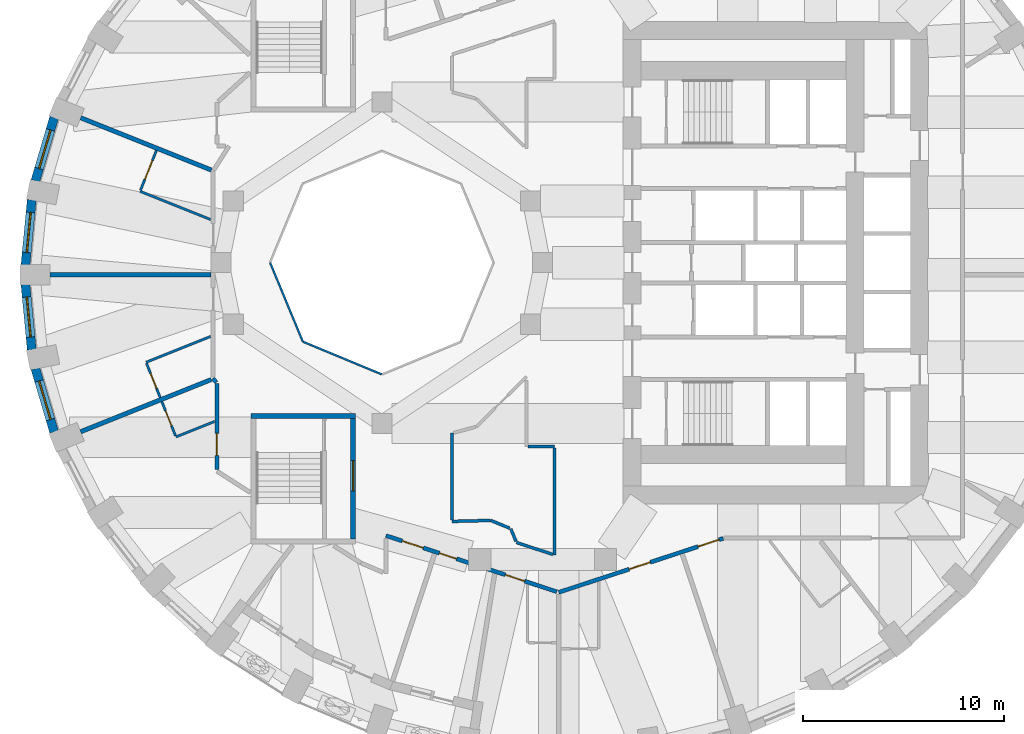
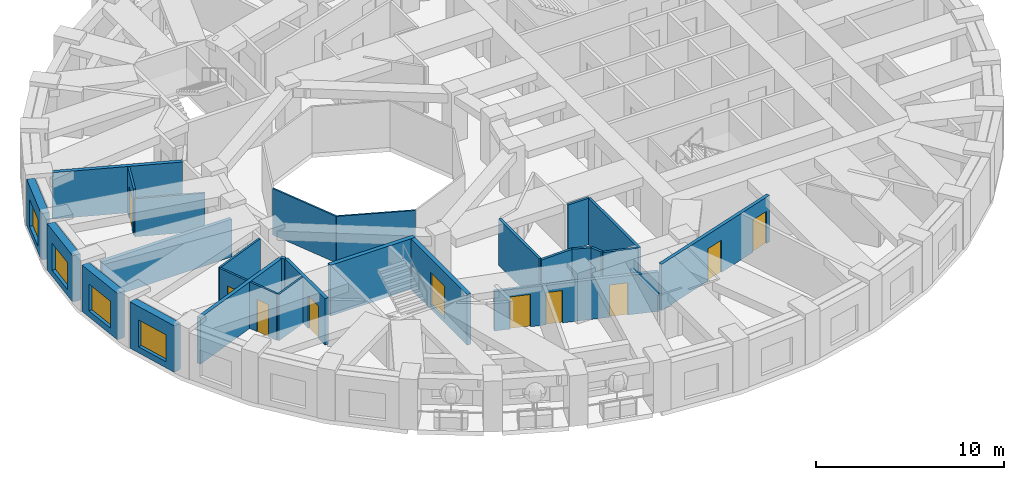
# One storey, part 4 of 12: 28 walls, 10 doors, 4 windows, 14 openings.
"""IFC4 building model written with IfcOpenShell, lengths in metres."""

from ifc_helpers import new_model, si_unit, direction, frame, frame_2d, origin, place, context, subcontext, project, spatial, rectangle, extrude, material, layer, layer_set, type_object, element, fill, save


model = new_model("IFC4")

# Units and contexts
model_context = context("Model", 3, precision=1e-05, world=origin(), true_north=direction((0.0, 1.0)))
body_context = subcontext(model_context, "Body", "Model", "MODEL_VIEW")
ifc_project = project(units=[si_unit("LENGTHUNIT", "METRE"), si_unit("AREAUNIT", "SQUARE_METRE"), si_unit("VOLUMEUNIT", "CUBIC_METRE"), si_unit("PLANEANGLEUNIT", "RADIAN"), si_unit("MASSUNIT", "GRAM", prefix="KILO")], contexts=[model_context])

# Site, building, storey
site_placement = place(None, origin())
site = spatial("IfcSite", under=ifc_project, at=site_placement, CompositionType="ELEMENT")
building_placement = place(site_placement, origin())
building = spatial("IfcBuilding", under=site, at=building_placement, Name="Taillehof Tower", CompositionType="ELEMENT")
storey_placement = place(building_placement, frame((0.0, 0.0, 121.89990234375)))
storey = spatial("IfcBuildingStorey", under=building, at=storey_placement, Name="L34", CompositionType="ELEMENT", Elevation=121.89990234375)

# Walls
ifc_material_1 = material(Name="Fire-resisting glass in steel frame", Category="steel")
ifc_layer_1 = layer(ifc_material_1, 0.10009765625)
ifc_layer_set_1 = layer_set([ifc_layer_1], Name="Atrium fire-resisting screen EI 60 100")
wall_type_1 = type_object("IfcWallType", Name="Atrium fire-resisting screen EI 60 100", PredefinedType="PARTITIONING", material=ifc_layer_set_1)
for number, where, z_axis, x_axis, name in (
    (1, (-8.0, -5.55419921875, 0.0), (0.0, 0.0, 1.0), (-0.923860025149, 0.382730523909, 0.0), "Atrium screen"),
    (2, (-11.92724609375, -3.92724609375, 0.0), (0.0, 0.0, 1.0), (-0.382730523909, 0.923860025149, 0.0), "Atrium screen"),
):
    element("IfcWall", number, at=place(storey_placement, frame(where, z_axis=z_axis, x_axis=x_axis)), inside=storey, type_object=wall_type_1, Name=name, PredefinedType="PARTITIONING", context=body_context, shape_type="SweptSolid", body=[
        extrude(rectangle(XDim=4.2509765625, YDim=0.10009765625, at=frame_2d((2.12548828125, 0.0))), origin(), (0.0, 0.0, 1.0), 3.02001953125),
    ])

# Wall, opening, window
ifc_material_2 = material(Name="Brick masonry", Category="masonry")
ifc_layer_2 = layer(ifc_material_2, 0.449951171875)
ifc_layer_set_2 = layer_set([ifc_layer_2], Name="Brick infill wall 450")
wall_type_2 = type_object("IfcWallType", Name="Brick infill wall 450", PredefinedType="SOLIDWALL", material=ifc_layer_set_2)
wall_1_placement = place(storey_placement, frame((-24.302001953125, 7.220703125, 0.0), z_axis=(0.0, 0.0, 1.0), x_axis=(-0.283071248438, -0.959098883488, 0.0)))
wall_1 = element("IfcWall", 3, at=wall_1_placement, inside=storey, type_object=wall_type_2, Name="Brick wall L34 bay 17", PredefinedType="SOLIDWALL", context=body_context, shape_type="SweptSolid", body=[
    extrude(rectangle(XDim=3.2861328125, YDim=0.449951171875, at=frame_2d((1.64306640625, 0.0))), origin(), (0.0, 0.0, 1.0), 3.02001953125),
])
opening_1_placement = place(wall_1_placement, frame((0.64306640625, 0.0, 0.39990234375)))
opening_1 = element("IfcOpeningElement", 4, at=opening_1_placement, cuts=wall_1, Name="Opening W2", PredefinedType="OPENING", context=body_context, shape_type="SweptSolid", body=[
    extrude(rectangle(XDim=2.0, YDim=1.75, at=frame_2d((1.0, 0.875))), frame((0.0, 0.23486328125, 0.0), z_axis=(0.0, -1.0, 0.0), x_axis=(1.0, 0.0, 0.0)), (0.0, 0.0, 1.0), 0.469970703125),
])
ifc_material_3 = material(Name="Aluminium window frame with clear double glazing", Category="aluminium")
window_type = type_object("IfcWindowType", Name="Deep-set window 2000x1750", PartitioningType="SINGLE_PANEL", PredefinedType="WINDOW", material=ifc_material_3)
window_1_placement = place(opening_1_placement, origin())
window_1 = element("IfcWindow", 5, at=window_1_placement, inside=storey, type_object=window_type, Name="W2", OverallHeight=1.75, OverallWidth=2.0, PartitioningType="SINGLE_PANEL", PredefinedType="WINDOW", context=body_context, shape_type="SweptSolid", body=[
    extrude(rectangle(XDim=2.0, YDim=1.75, at=frame_2d((1.0, 0.875))), frame((0.0, 0.034912109375, 0.0), z_axis=(0.0, -1.0, 0.0), x_axis=(1.0, 0.0, 0.0)), (0.0, 0.0, 1.0), 0.06005859375),
])
fill(opening_1, window_1)

wall_2_placement = place(storey_placement, frame((-25.414794921875, 3.12646484375, 0.0), z_axis=(0.0, 0.0, 1.0), x_axis=(-0.095967726544, -0.995384446062, 0.0)))
wall_2 = element("IfcWall", 6, at=wall_2_placement, inside=storey, type_object=wall_type_2, Name="Brick wall L34 bay 18", PredefinedType="SOLIDWALL", context=body_context, shape_type="SweptSolid", body=[
    extrude(rectangle(XDim=3.261474609375, YDim=0.449951171875, at=frame_2d((1.630859375, 0.0))), origin(), (0.0, 0.0, 1.0), 3.02001953125),
])
opening_2_placement = place(wall_2_placement, frame((0.630615234375, 0.0, 0.39990234375)))
opening_2 = element("IfcOpeningElement", 7, at=opening_2_placement, cuts=wall_2, Name="Opening W2", PredefinedType="OPENING", context=body_context, shape_type="SweptSolid", body=[
    extrude(rectangle(XDim=2.0, YDim=1.75, at=frame_2d((1.0, 0.875))), frame((0.0, 0.23486328125, 0.0), z_axis=(0.0, -1.0, 0.0), x_axis=(1.0, 0.0, 0.0)), (0.0, 0.0, 1.0), 0.469970703125),
])
window_2_placement = place(opening_2_placement, origin())
window_2 = element("IfcWindow", 8, at=window_2_placement, inside=storey, type_object=window_type, Name="W2", OverallHeight=1.75, OverallWidth=2.0, PartitioningType="SINGLE_PANEL", PredefinedType="WINDOW", context=body_context, shape_type="SweptSolid", body=[
    extrude(rectangle(XDim=2.0, YDim=1.75, at=frame_2d((1.0, 0.875))), frame((0.0, 0.034912109375, 0.0), z_axis=(0.0, -1.0, 0.0), x_axis=(1.0, 0.0, 0.0)), (0.0, 0.0, 1.0), 0.06005859375),
])
fill(opening_2, window_2)

wall_3_placement = place(storey_placement, frame((-25.727783203125, -1.080078125, 0.0), z_axis=(0.0, 0.0, 1.0), x_axis=(0.095967726544, -0.995384446062, 0.0)))
wall_3 = element("IfcWall", 9, at=wall_3_placement, inside=storey, type_object=wall_type_2, Name="Brick wall L34 bay 19", PredefinedType="SOLIDWALL", context=body_context, shape_type="SweptSolid", body=[
    extrude(rectangle(XDim=3.261474609375, YDim=0.449951171875, at=frame_2d((1.630859375, 0.0))), origin(), (0.0, 0.0, 1.0), 3.02001953125),
])
opening_3_placement = place(wall_3_placement, frame((0.630615234375, 0.0, 0.39990234375)))
opening_3 = element("IfcOpeningElement", 10, at=opening_3_placement, cuts=wall_3, Name="Opening W2", PredefinedType="OPENING", context=body_context, shape_type="SweptSolid", body=[
    extrude(rectangle(XDim=2.0, YDim=1.75, at=frame_2d((1.0, 0.875))), frame((0.0, 0.23486328125, 0.0), z_axis=(0.0, -1.0, 0.0), x_axis=(1.0, 0.0, 0.0)), (0.0, 0.0, 1.0), 0.469970703125),
])
window_3_placement = place(opening_3_placement, origin())
window_3 = element("IfcWindow", 11, at=window_3_placement, inside=storey, type_object=window_type, Name="W2", OverallHeight=1.75, OverallWidth=2.0, PartitioningType="SINGLE_PANEL", PredefinedType="WINDOW", context=body_context, shape_type="SweptSolid", body=[
    extrude(rectangle(XDim=2.0, YDim=1.75, at=frame_2d((1.0, 0.875))), frame((0.0, 0.034912109375, 0.0), z_axis=(0.0, -1.0, 0.0), x_axis=(1.0, 0.0, 0.0)), (0.0, 0.0, 1.0), 0.06005859375),
])
fill(opening_3, window_3)

wall_4_placement = place(storey_placement, frame((-25.232177734375, -5.26904296875, 0.0), z_axis=(0.0, 0.0, 1.0), x_axis=(0.283051078697, -0.959104836214, 0.0)))
wall_4 = element("IfcWall", 12, at=wall_4_placement, inside=storey, type_object=wall_type_2, Name="Brick wall L34 bay 20", PredefinedType="SOLIDWALL", context=body_context, shape_type="SweptSolid", body=[
    extrude(rectangle(XDim=3.2861328125, YDim=0.449951171875, at=frame_2d((1.64306640625, 0.0))), origin(), (0.0, 0.0, 1.0), 3.02001953125),
])
opening_4_placement = place(wall_4_placement, frame((0.64306640625, 0.0, 0.39990234375)))
opening_4 = element("IfcOpeningElement", 13, at=opening_4_placement, cuts=wall_4, Name="Opening W2", PredefinedType="OPENING", context=body_context, shape_type="SweptSolid", body=[
    extrude(rectangle(XDim=2.0, YDim=1.75, at=frame_2d((1.0, 0.875))), frame((0.0, 0.23486328125, 0.0), z_axis=(0.0, -1.0, 0.0), x_axis=(1.0, 0.0, 0.0)), (0.0, 0.0, 1.0), 0.469970703125),
])
window_4_placement = place(opening_4_placement, origin())
window_4 = element("IfcWindow", 14, at=window_4_placement, inside=storey, type_object=window_type, Name="W2", OverallHeight=1.75, OverallWidth=2.0, PartitioningType="SINGLE_PANEL", PredefinedType="WINDOW", context=body_context, shape_type="SweptSolid", body=[
    extrude(rectangle(XDim=2.0, YDim=1.75, at=frame_2d((1.0, 0.875))), frame((0.0, 0.034912109375, 0.0), z_axis=(0.0, -1.0, 0.0), x_axis=(1.0, 0.0, 0.0)), (0.0, 0.0, 1.0), 0.06005859375),
])
fill(opening_4, window_4)

# Wall, opening, door
ifc_material_4 = material(Name="Gypsum board on steel studs, two layers each side", Category="steel")
ifc_layer_3 = layer(ifc_material_4, 0.199951171875)
ifc_layer_set_3 = layer_set([ifc_layer_3], Name="Compartment wall corridor 200")
wall_type_3 = type_object("IfcWallType", Name="Compartment wall corridor 200", PredefinedType="PARTITIONING", material=ifc_layer_set_3)
wall_5_placement = place(storey_placement, frame((-16.199951171875, -10.294189453125, 0.0), z_axis=(0.0, 0.0, 1.0), x_axis=(0.0, 1.0, 0.0)))
wall_5 = element("IfcWall", 15, at=wall_5_placement, inside=storey, type_object=wall_type_3, Name="Compartment wall", PredefinedType="PARTITIONING", context=body_context, shape_type="SweptSolid", body=[
    extrude(rectangle(XDim=4.285400390625, YDim=0.199951171875, at=frame_2d((2.142578125, 0.0))), origin(), (0.0, 0.0, 1.0), 3.02001953125),
])
opening_5_placement = place(wall_5_placement, frame((0.703125, 0.0, 0.0)))
opening_5 = element("IfcOpeningElement", 16, at=opening_5_placement, cuts=wall_5, Name="Opening D3452", PredefinedType="OPENING", context=body_context, shape_type="SweptSolid", body=[
    extrude(rectangle(XDim=1.10009765625, YDim=2.10009765625, at=frame_2d((0.550048828125, 1.050048828125))), frame((0.0, 0.10986328125, 0.0), z_axis=(0.0, -1.0, 0.0), x_axis=(1.0, 0.0, 0.0)), (0.0, 0.0, 1.0), 0.219970703125),
])
ifc_material_5 = material(Name="Timber door leaf in steel frame", Category="steel")
door_type_1 = type_object("IfcDoorType", Name="Suite entrance door EI 30 1100 x 2100", OperationType="SINGLE_SWING_LEFT", PredefinedType="DOOR", material=ifc_material_5)
door_1_placement = place(opening_5_placement, origin())
door_1 = element("IfcDoor", 17, at=door_1_placement, inside=storey, type_object=door_type_1, Name="D3452", OperationType="SINGLE_SWING_RIGHT", OverallHeight=2.10009765625, OverallWidth=1.10009765625, PredefinedType="DOOR", context=body_context, shape_type="SweptSolid", body=[
    extrude(rectangle(XDim=1.10009765625, YDim=2.10009765625, at=frame_2d((0.550048828125, 1.050048828125))), frame((0.0, 0.02490234375, 0.0), z_axis=(0.0, -1.0, 0.0), x_axis=(1.0, 0.0, 0.0)), (0.0, 0.0, 1.0), 0.050048828125),
])
fill(opening_5, door_1)

# Wall
wall_6_placement = place(storey_placement, frame((-16.236572265625, -5.961181640625, 0.0), z_axis=(0.0, 0.0, 1.0), x_axis=(-0.61310674242, 0.790000077468, 0.0)))
element("IfcWall", 18, at=wall_6_placement, inside=storey, type_object=wall_type_3, Name="Compartment wall", PredefinedType="PARTITIONING", context=body_context, shape_type="SweptSolid", body=[
    extrude(rectangle(XDim=0.263671875, YDim=0.199951171875, at=frame_2d((0.1318359375, 0.0))), origin(), (0.0, 0.0, 1.0), 3.02001953125),
])

# Wall, openings, doors
wall_7_placement = place(storey_placement, frame((8.984130859375, -13.712646484375, 0.0), z_axis=(0.0, 0.0, 1.0), x_axis=(-0.950093687873, -0.311964716378, 0.0)))
wall_7 = element("IfcWall", 19, at=wall_7_placement, inside=storey, type_object=wall_type_3, Name="Compartment wall", PredefinedType="PARTITIONING", context=body_context, shape_type="SweptSolid", body=[
    extrude(rectangle(XDim=8.614013671875, YDim=0.199951171875, at=frame_2d((4.30712890625, 0.0))), origin(), (0.0, 0.0, 1.0), 3.02001953125),
])
opening_6_placement = place(wall_7_placement, frame((3.819580078125, 0.0, 0.0)))
opening_6 = element("IfcOpeningElement", 20, at=opening_6_placement, cuts=wall_7, Name="Opening D3458", PredefinedType="OPENING", context=body_context, shape_type="SweptSolid", body=[
    extrude(rectangle(XDim=1.10009765625, YDim=2.10009765625, at=frame_2d((0.550048828125, 1.050048828125))), frame((0.0, 0.10986328125, 0.0), z_axis=(0.0, -1.0, 0.0), x_axis=(1.0, 0.0, 0.0)), (0.0, 0.0, 1.0), 0.219970703125),
])
opening_7_placement = place(wall_7_placement, frame((0.219970703125, 0.0, 0.0)))
opening_7 = element("IfcOpeningElement", 21, at=opening_7_placement, cuts=wall_7, Name="Opening D3460", PredefinedType="OPENING", context=body_context, shape_type="SweptSolid", body=[
    extrude(rectangle(XDim=1.10009765625, YDim=2.10009765625, at=frame_2d((0.550048828125, 1.050048828125))), frame((0.0, 0.10986328125, 0.0), z_axis=(0.0, -1.0, 0.0), x_axis=(1.0, 0.0, 0.0)), (0.0, 0.0, 1.0), 0.219970703125),
])
door_2_placement = place(opening_6_placement, origin())
door_2 = element("IfcDoor", 22, at=door_2_placement, inside=storey, type_object=door_type_1, Name="D3458", OperationType="SINGLE_SWING_LEFT", OverallHeight=2.10009765625, OverallWidth=1.10009765625, PredefinedType="DOOR", context=body_context, shape_type="SweptSolid", body=[
    extrude(rectangle(XDim=1.10009765625, YDim=2.10009765625, at=frame_2d((0.550048828125, 1.050048828125))), frame((0.0, 0.02490234375, 0.0), z_axis=(0.0, -1.0, 0.0), x_axis=(1.0, 0.0, 0.0)), (0.0, 0.0, 1.0), 0.050048828125),
])
fill(opening_6, door_2)
door_3_placement = place(opening_7_placement, origin())
door_3 = element("IfcDoor", 23, at=door_3_placement, inside=storey, type_object=door_type_1, Name="D3460", OperationType="SINGLE_SWING_LEFT", OverallHeight=2.10009765625, OverallWidth=1.10009765625, PredefinedType="DOOR", context=body_context, shape_type="SweptSolid", body=[
    extrude(rectangle(XDim=1.10009765625, YDim=2.10009765625, at=frame_2d((0.550048828125, 1.050048828125))), frame((0.0, 0.02490234375, 0.0), z_axis=(0.0, -1.0, 0.0), x_axis=(1.0, 0.0, 0.0)), (0.0, 0.0, 1.0), 0.050048828125),
])
fill(opening_7, door_3)

wall_8_placement = place(storey_placement, frame((0.704833984375, -16.3681640625, 0.0), z_axis=(0.0, 0.0, 1.0), x_axis=(-0.95010544032, 0.311928921832, 0.0)))
wall_8 = element("IfcWall", 24, at=wall_8_placement, inside=storey, type_object=wall_type_3, Name="Compartment wall", PredefinedType="PARTITIONING", context=body_context, shape_type="SweptSolid", body=[
    extrude(rectangle(XDim=8.951416015625, YDim=0.199951171875, at=frame_2d((4.4755859375, 0.0))), origin(), (0.0, 0.0, 1.0), 2.570068359375),
])
opening_8_placement = place(wall_8_placement, frame((6.993408203125, 0.0, 0.0)))
opening_8 = element("IfcOpeningElement", 25, at=opening_8_placement, cuts=wall_8, Name="Opening D3454", PredefinedType="OPENING", context=body_context, shape_type="SweptSolid", body=[
    extrude(rectangle(XDim=1.10009765625, YDim=2.10009765625, at=frame_2d((0.550048828125, 1.050048828125))), frame((0.0, 0.10986328125, 0.0), z_axis=(0.0, -1.0, 0.0), x_axis=(1.0, 0.0, 0.0)), (0.0, 0.0, 1.0), 0.219970703125),
])
opening_9_placement = place(wall_8_placement, frame((5.248291015625, 0.0, 0.0)))
opening_9 = element("IfcOpeningElement", 26, at=opening_9_placement, cuts=wall_8, Name="Opening D3455", PredefinedType="OPENING", context=body_context, shape_type="SweptSolid", body=[
    extrude(rectangle(XDim=0.89990234375, YDim=2.10009765625, at=frame_2d((0.449951171875, 1.050048828125))), frame((0.0, 0.10986328125, 0.0), z_axis=(0.0, -1.0, 0.0), x_axis=(1.0, 0.0, 0.0)), (0.0, 0.0, 1.0), 0.219970703125),
])
opening_10_placement = place(wall_8_placement, frame((1.68798828125, 0.0, 0.0)))
opening_10 = element("IfcOpeningElement", 27, at=opening_10_placement, cuts=wall_8, Name="Opening D3456", PredefinedType="OPENING", context=body_context, shape_type="SweptSolid", body=[
    extrude(rectangle(XDim=1.0, YDim=2.10009765625, at=frame_2d((0.5, 1.050048828125))), frame((0.0, 0.10986328125, 0.0), z_axis=(0.0, -1.0, 0.0), x_axis=(1.0, 0.0, 0.0)), (0.0, 0.0, 1.0), 0.219970703125),
])
ifc_material_6 = material(Name="Timber door leaf in steel frame", Category="steel")
door_type_2 = type_object("IfcDoorType", Name="Guest room door EI 30 1000 x 2100", OperationType="SINGLE_SWING_LEFT", PredefinedType="DOOR", material=ifc_material_6)
door_4_placement = place(opening_10_placement, origin())
door_4 = element("IfcDoor", 28, at=door_4_placement, inside=storey, type_object=door_type_2, Name="D3456", OperationType="SINGLE_SWING_LEFT", OverallHeight=2.10009765625, OverallWidth=1.0, PredefinedType="DOOR", context=body_context, shape_type="SweptSolid", body=[
    extrude(rectangle(XDim=1.0, YDim=2.10009765625, at=frame_2d((0.5, 1.050048828125))), frame((0.0, 0.02490234375, 0.0), z_axis=(0.0, -1.0, 0.0), x_axis=(1.0, 0.0, 0.0)), (0.0, 0.0, 1.0), 0.050048828125),
])
fill(opening_10, door_4)
ifc_material_7 = material(Name="Timber door leaf in steel frame", Category="steel")
door_type_3 = type_object("IfcDoorType", Name="Service room door EI 30 900 x 2100", OperationType="SINGLE_SWING_LEFT", PredefinedType="DOOR", material=ifc_material_7)
door_5_placement = place(opening_9_placement, origin())
door_5 = element("IfcDoor", 29, at=door_5_placement, inside=storey, type_object=door_type_3, Name="D3455", OperationType="SINGLE_SWING_RIGHT", OverallHeight=2.10009765625, OverallWidth=0.89990234375, PredefinedType="DOOR", context=body_context, shape_type="SweptSolid", body=[
    extrude(rectangle(XDim=0.89990234375, YDim=2.10009765625, at=frame_2d((0.449951171875, 1.050048828125))), frame((0.0, 0.02490234375, 0.0), z_axis=(0.0, -1.0, 0.0), x_axis=(1.0, 0.0, 0.0)), (0.0, 0.0, 1.0), 0.050048828125),
])
fill(opening_9, door_5)
door_6_placement = place(opening_8_placement, origin())
door_6 = element("IfcDoor", 30, at=door_6_placement, inside=storey, type_object=door_type_1, Name="D3454", OperationType="SINGLE_SWING_LEFT", OverallHeight=2.10009765625, OverallWidth=1.10009765625, PredefinedType="DOOR", context=body_context, shape_type="SweptSolid", body=[
    extrude(rectangle(XDim=1.10009765625, YDim=2.10009765625, at=frame_2d((0.550048828125, 1.050048828125))), frame((0.0, 0.02490234375, 0.0), z_axis=(0.0, -1.0, 0.0), x_axis=(1.0, 0.0, 0.0)), (0.0, 0.0, 1.0), 0.050048828125),
])
fill(opening_8, door_6)

# Walls
ifc_material_8 = material(Name="Gypsum board on double steel studs with mineral wool", Category="steel")
ifc_layer_4 = layer(ifc_material_8, 0.219970703125)
ifc_layer_set_4 = layer_set([ifc_layer_4], Name="Compartment wall guest room 220")
wall_type_4 = type_object("IfcWallType", Name="Compartment wall guest room 220", PredefinedType="PARTITIONING", material=ifc_layer_set_4)
wall_9_placement = place(storey_placement, frame((-22.982666015625, 7.21044921875, 0.0), z_axis=(0.0, 0.0, 1.0), x_axis=(0.928548801607, -0.371210348771, 0.0)))
element("IfcWall", 31, at=wall_9_placement, inside=storey, type_object=wall_type_4, Name="Compartment wall", PredefinedType="PARTITIONING", context=body_context, shape_type="SweptSolid", body=[
    extrude(rectangle(XDim=7.003173828125, YDim=0.219970703125, at=frame_2d((3.50146484375, 0.0))), origin(), (0.0, 0.0, 1.0), 3.02001953125),
])
wall_10_placement = place(storey_placement, frame((-24.5, -0.60009765625, 0.0), z_axis=(0.0, 0.0, 1.0), x_axis=(1.0, 0.0, 0.0)))
element("IfcWall", 32, at=wall_10_placement, inside=storey, type_object=wall_type_4, Name="Compartment wall", PredefinedType="PARTITIONING", context=body_context, shape_type="SweptSolid", body=[
    extrude(rectangle(XDim=8.001708984375, YDim=0.219970703125, at=frame_2d((4.0009765625, 0.0))), origin(), (0.0, 0.0, 1.0), 2.47021484375),
])
wall_11_placement = place(storey_placement, frame((-22.982666015625, -8.410400390625, 0.0), z_axis=(0.0, 0.0, 1.0), x_axis=(0.928551252469, 0.371204218105, 0.0)))
element("IfcWall", 33, at=wall_11_placement, inside=storey, type_object=wall_type_4, Name="Compartment wall", PredefinedType="PARTITIONING", context=body_context, shape_type="SweptSolid", body=[
    extrude(rectangle(XDim=6.99853515625, YDim=0.219970703125, at=frame_2d((3.499267578125, 0.0))), origin(), (0.0, 0.0, 1.0), 3.02001953125),
])
ifc_material_9 = material(Name="Gypsum board on steel studs, two layers each side", Category="steel")
ifc_layer_5 = layer(ifc_material_9, 0.14990234375)
ifc_layer_set_5 = layer_set([ifc_layer_5], Name="Compartment wall service room 150")
wall_type_5 = type_object("IfcWallType", Name="Compartment wall service room 150", PredefinedType="PARTITIONING", material=ifc_layer_set_5)
wall_12_placement = place(storey_placement, frame((-0.719970703125, -9.14990234375, 0.0), z_axis=(0.0, 0.0, 1.0), x_axis=(1.0, 0.0, 0.0)))
element("IfcWall", 34, at=wall_12_placement, inside=storey, type_object=wall_type_5, Name="Compartment wall", PredefinedType="PARTITIONING", context=body_context, shape_type="SweptSolid", body=[
    extrude(rectangle(XDim=1.320068359375, YDim=0.14990234375, at=frame_2d((0.66015625, 0.0))), origin(), (0.0, 0.0, 1.0), 3.02001953125),
])
wall_13_placement = place(storey_placement, frame((0.60009765625, -9.22998046875, 0.0), z_axis=(0.0, 0.0, 1.0), x_axis=(0.0, -1.0, 0.0)))
element("IfcWall", 35, at=wall_13_placement, inside=storey, type_object=wall_type_5, Name="Compartment wall", PredefinedType="PARTITIONING", context=body_context, shape_type="SweptSolid", body=[
    extrude(rectangle(XDim=5.31494140625, YDim=0.14990234375, at=frame_2d((2.657470703125, 0.0))), origin(), (0.0, 0.0, 1.0), 3.02001953125),
])
wall_14_placement = place(storey_placement, frame((0.5048828125, -14.51318359375, 0.0), z_axis=(0.0, 0.0, 1.0), x_axis=(-0.950175898888, 0.31171422998, 0.0)))
element("IfcWall", 36, at=wall_14_placement, inside=storey, type_object=wall_type_5, Name="Compartment wall", PredefinedType="PARTITIONING", context=body_context, shape_type="SweptSolid", body=[
    extrude(rectangle(XDim=1.900146484375, YDim=0.14990234375, at=frame_2d((0.9501953125, 0.0))), origin(), (0.0, 0.0, 1.0), 3.02001953125),
])
wall_15_placement = place(storey_placement, frame((-1.3232421875, -13.865234375, 0.0), z_axis=(0.0, 0.0, 1.0), x_axis=(-0.382970536008, 0.923760558018, 0.0)))
element("IfcWall", 37, at=wall_15_placement, inside=storey, type_object=wall_type_5, Name="Compartment wall", PredefinedType="PARTITIONING", context=body_context, shape_type="SweptSolid", body=[
    extrude(rectangle(XDim=0.685302734375, YDim=0.14990234375, at=frame_2d((0.3427734375, 0.0))), origin(), (0.0, 0.0, 1.0), 3.02001953125),
])
wall_16_placement = place(storey_placement, frame((-1.641357421875, -13.20947265625, 0.0), z_axis=(0.0, 0.0, 1.0), x_axis=(-0.923725449546, 0.383055209937, 0.0)))
element("IfcWall", 38, at=wall_16_placement, inside=storey, type_object=wall_type_5, Name="Compartment wall", PredefinedType="PARTITIONING", context=body_context, shape_type="SweptSolid", body=[
    extrude(rectangle(XDim=1.011474609375, YDim=0.14990234375, at=frame_2d((0.505859375, 0.0))), origin(), (0.0, 0.0, 1.0), 3.02001953125),
])
wall_17_placement = place(storey_placement, frame((-2.595703125, -12.822509765625, 0.0), z_axis=(0.0, 0.0, 1.0), x_axis=(-0.999684436087, -0.025120275573, 0.0)))
element("IfcWall", 39, at=wall_17_placement, inside=storey, type_object=wall_type_5, Name="Compartment wall", PredefinedType="PARTITIONING", context=body_context, shape_type="SweptSolid", body=[
    extrude(rectangle(XDim=1.90478515625, YDim=0.14990234375, at=frame_2d((0.952392578125, 0.0))), origin(), (0.0, 0.0, 1.0), 3.02001953125),
])
wall_18_placement = place(storey_placement, frame((-4.5, -12.790283203125, 0.0), z_axis=(0.0, 0.0, 1.0), x_axis=(0.0, 1.0, 0.0)))
element("IfcWall", 40, at=wall_18_placement, inside=storey, type_object=wall_type_5, Name="Compartment wall", PredefinedType="PARTITIONING", context=body_context, shape_type="SweptSolid", body=[
    extrude(rectangle(XDim=4.30712890625, YDim=0.14990234375, at=frame_2d((2.153564453125, 0.0))), origin(), (0.0, 0.0, 1.0), 3.02001953125),
])
ifc_material_10 = material(Name="Gypsum board on steel studs, moisture resistant", Category="steel")
ifc_layer_6 = layer(ifc_material_10, 0.1201171875)
ifc_layer_set_6 = layer_set([ifc_layer_6], Name="En-suite wall 120")
wall_type_6 = type_object("IfcWallType", Name="En-suite wall 120", PredefinedType="PARTITIONING", material=ifc_layer_set_6)
wall_19_placement = place(storey_placement, frame((-16.516845703125, 2.1484375, 0.0), z_axis=(0.0, 0.0, 1.0), x_axis=(-0.928534615374, 0.37124583237, 0.0)))
element("IfcWall", 41, at=wall_19_placement, inside=storey, type_object=wall_type_6, Name="En-suite wall", PredefinedType="PARTITIONING", context=body_context, shape_type="SweptSolid", body=[
    extrude(rectangle(XDim=3.778076171875, YDim=0.1201171875, at=frame_2d((1.88916015625, 0.0))), origin(), (0.0, 0.0, 1.0), 2.47021484375),
])
wall_20_placement = place(storey_placement, frame((-16.516845703125, -3.671630859375, 0.0), z_axis=(0.0, 0.0, 1.0), x_axis=(-0.928554629191, -0.371195771268, 0.0)))
element("IfcWall", 42, at=wall_20_placement, inside=storey, type_object=wall_type_6, Name="En-suite wall", PredefinedType="PARTITIONING", context=body_context, shape_type="SweptSolid", body=[
    extrude(rectangle(XDim=3.45556640625, YDim=0.1201171875, at=frame_2d((1.727783203125, 0.0))), origin(), (0.0, 0.0, 1.0), 3.02001953125),
])
wall_21_placement = place(storey_placement, frame((-16.318603515625, -7.900146484375, 0.0), z_axis=(0.0, 0.0, 1.0), x_axis=(-0.92852548478, -0.371268668371, 0.0)))
element("IfcWall", 43, at=wall_21_placement, inside=storey, type_object=wall_type_6, Name="En-suite wall", PredefinedType="PARTITIONING", context=body_context, shape_type="SweptSolid", body=[
    extrude(rectangle(XDim=2.070068359375, YDim=0.1201171875, at=frame_2d((1.03515625, 0.0))), origin(), (0.0, 0.0, 1.0), 3.02001953125),
])

# Wall, opening, door
wall_22_placement = place(storey_placement, frame((-20.0029296875, 3.606689453125, 0.0), z_axis=(0.0, 0.0, 1.0), x_axis=(0.371351153758, 0.928492498948, 0.0)))
wall_22 = element("IfcWall", 44, at=wall_22_placement, inside=storey, type_object=wall_type_6, Name="En-suite wall", PredefinedType="PARTITIONING", context=body_context, shape_type="SweptSolid", body=[
    extrude(rectangle(XDim=2.130126953125, YDim=0.1201171875, at=frame_2d((1.06494140625, 0.0))), origin(), (0.0, 0.0, 1.0), 3.02001953125),
])
opening_11_placement = place(wall_22_placement, frame((0.590087890625, 0.0, 0.0)))
opening_11 = element("IfcOpeningElement", 45, at=opening_11_placement, cuts=wall_22, Name="Opening D3449", PredefinedType="OPENING", context=body_context, shape_type="SweptSolid", body=[
    extrude(rectangle(XDim=1.0, YDim=2.10009765625, at=frame_2d((0.5, 1.050048828125))), frame((0.0, 0.070068359375, 0.0), z_axis=(0.0, -1.0, 0.0), x_axis=(1.0, 0.0, 0.0)), (0.0, 0.0, 1.0), 0.14013671875),
])
ifc_material_11 = material(Name="Timber door leaf in steel frame", Category="steel")
door_type_4 = type_object("IfcDoorType", Name="Accessible en-suite door 1000 x 2100", OperationType="SINGLE_SWING_LEFT", PredefinedType="DOOR", material=ifc_material_11)
door_7_placement = place(opening_11_placement, origin())
door_7 = element("IfcDoor", 46, at=door_7_placement, inside=storey, type_object=door_type_4, Name="D3449", OperationType="SINGLE_SWING_RIGHT", OverallHeight=2.10009765625, OverallWidth=1.0, PredefinedType="DOOR", context=body_context, shape_type="SweptSolid", body=[
    extrude(rectangle(XDim=1.0, YDim=2.10009765625, at=frame_2d((0.5, 1.050048828125))), frame((0.0, 0.02490234375, 0.0), z_axis=(0.0, -1.0, 0.0), x_axis=(1.0, 0.0, 0.0)), (0.0, 0.0, 1.0), 0.050048828125),
])
fill(opening_11, door_7)

wall_23_placement = place(storey_placement, frame((-19.703369140625, -5.010009765625, 0.0), z_axis=(0.0, 0.0, 1.0), x_axis=(0.371229680537, -0.928541073022, 0.0)))
wall_23 = element("IfcWall", 47, at=wall_23_placement, inside=storey, type_object=wall_type_6, Name="En-suite wall", PredefinedType="PARTITIONING", context=body_context, shape_type="SweptSolid", body=[
    extrude(rectangle(XDim=1.830322265625, YDim=0.1201171875, at=frame_2d((0.9150390625, 0.0))), origin(), (0.0, 0.0, 1.0), 3.02001953125),
])
opening_12_placement = place(wall_23_placement, frame((0.5400390625, 0.0, 0.0)))
opening_12 = element("IfcOpeningElement", 48, at=opening_12_placement, cuts=wall_23, Name="Opening D3451", PredefinedType="OPENING", context=body_context, shape_type="SweptSolid", body=[
    extrude(rectangle(XDim=0.800048828125, YDim=2.10009765625, at=frame_2d((0.39990234375, 1.050048828125))), frame((0.0, 0.070068359375, 0.0), z_axis=(0.0, -1.0, 0.0), x_axis=(1.0, 0.0, 0.0)), (0.0, 0.0, 1.0), 0.14013671875),
])
ifc_material_12 = material(Name="Timber door leaf in steel frame", Category="steel")
door_type_5 = type_object("IfcDoorType", Name="En-suite door 800 x 2100", OperationType="SINGLE_SWING_LEFT", PredefinedType="DOOR", material=ifc_material_12)
door_8_placement = place(opening_12_placement, origin())
door_8 = element("IfcDoor", 49, at=door_8_placement, inside=storey, type_object=door_type_5, Name="D3451", OperationType="SINGLE_SWING_LEFT", OverallHeight=2.10009765625, OverallWidth=0.800048828125, PredefinedType="DOOR", context=body_context, shape_type="SweptSolid", body=[
    extrude(rectangle(XDim=0.800048828125, YDim=2.10009765625, at=frame_2d((0.39990234375, 1.050048828125))), frame((0.0, 0.02490234375, 0.0), z_axis=(0.0, -1.0, 0.0), x_axis=(1.0, 0.0, 0.0)), (0.0, 0.0, 1.0), 0.050048828125),
])
fill(opening_12, door_8)

wall_24_placement = place(storey_placement, frame((-18.262939453125, -8.613037109375, 0.0), z_axis=(0.0, 0.0, 1.0), x_axis=(-0.371229680537, 0.928541073022, 0.0)))
wall_24 = element("IfcWall", 50, at=wall_24_placement, inside=storey, type_object=wall_type_6, Name="En-suite wall", PredefinedType="PARTITIONING", context=body_context, shape_type="SweptSolid", body=[
    extrude(rectangle(XDim=1.830322265625, YDim=0.1201171875, at=frame_2d((0.9150390625, 0.0))), origin(), (0.0, 0.0, 1.0), 3.02001953125),
])
opening_13_placement = place(wall_24_placement, frame((0.5400390625, 0.0, 0.0)))
opening_13 = element("IfcOpeningElement", 51, at=opening_13_placement, cuts=wall_24, Name="Opening D3453", PredefinedType="OPENING", context=body_context, shape_type="SweptSolid", body=[
    extrude(rectangle(XDim=0.800048828125, YDim=2.10009765625, at=frame_2d((0.39990234375, 1.050048828125))), frame((0.0, 0.070068359375, 0.0), z_axis=(0.0, -1.0, 0.0), x_axis=(1.0, 0.0, 0.0)), (0.0, 0.0, 1.0), 0.14013671875),
])
door_9_placement = place(opening_13_placement, origin())
door_9 = element("IfcDoor", 52, at=door_9_placement, inside=storey, type_object=door_type_5, Name="D3453", OperationType="SINGLE_SWING_RIGHT", OverallHeight=2.10009765625, OverallWidth=0.800048828125, PredefinedType="DOOR", context=body_context, shape_type="SweptSolid", body=[
    extrude(rectangle(XDim=0.800048828125, YDim=2.10009765625, at=frame_2d((0.39990234375, 1.050048828125))), frame((0.0, 0.02490234375, 0.0), z_axis=(0.0, -1.0, 0.0), x_axis=(1.0, 0.0, 0.0)), (0.0, 0.0, 1.0), 0.050048828125),
])
fill(opening_13, door_9)

ifc_material_13 = material(Name="Concrete C50/60", Category="concrete")
ifc_layer_7 = layer(ifc_material_13, 0.25)
ifc_layer_set_7 = layer_set([ifc_layer_7], Name="Stair wall C50/60 250")
wall_type_7 = type_object("IfcWallType", Name="Stair wall C50/60 250", PredefinedType="SHEAR", material=ifc_layer_set_7)
wall_25_placement = place(storey_placement, frame((-9.425048828125, -13.75, -0.27978515625), z_axis=(0.0, 0.0, 1.0), x_axis=(0.0, 1.0, 0.0)))
wall_25 = element("IfcWall", 53, at=wall_25_placement, inside=storey, type_object=wall_type_7, Name="Stair wall SC", PredefinedType="SHEAR", context=body_context, shape_type="SweptSolid", body=[
    extrude(rectangle(XDim=6.0, YDim=0.25, at=frame_2d((3.0, 0.0))), origin(), (0.0, 0.0, 1.0), 3.2998046875),
])
opening_14_placement = place(wall_25_placement, frame((2.39990234375, 0.0, 0.280029296875)))
opening_14 = element("IfcOpeningElement", 54, at=opening_14_placement, cuts=wall_25, Name="Opening D3420", PredefinedType="OPENING", context=body_context, shape_type="SweptSolid", body=[
    extrude(rectangle(XDim=1.5, YDim=2.10009765625, at=frame_2d((0.75, 1.050048828125))), frame((0.0, 0.135009765625, 0.0), z_axis=(0.0, -1.0, 0.0), x_axis=(1.0, 0.0, 0.0)), (0.0, 0.0, 1.0), 0.27001953125),
])
ifc_material_14 = material(Name="Steel-faced fire door", Category="steel")
door_type_6 = type_object("IfcDoorType", Name="Stair door 1500x2100", OperationType="DOUBLE_DOOR_SINGLE_SWING", PredefinedType="DOOR", material=ifc_material_14)
door_10_placement = place(opening_14_placement, origin())
door_10 = element("IfcDoor", 55, at=door_10_placement, inside=storey, type_object=door_type_6, Name="Stair door S4", OperationType="DOUBLE_DOOR_SINGLE_SWING", OverallHeight=2.10009765625, OverallWidth=1.5, PredefinedType="DOOR", context=body_context, shape_type="SweptSolid", body=[
    extrude(rectangle(XDim=1.5, YDim=2.10009765625, at=frame_2d((0.75, 1.050048828125))), frame((0.0, 0.02490234375, 0.0), z_axis=(0.0, -1.0, 0.0), x_axis=(1.0, 0.0, 0.0)), (0.0, 0.0, 1.0), 0.050048828125),
])
fill(opening_14, door_10)

# Wall
wall_26_placement = place(storey_placement, frame((-14.5, -7.625, -0.27978515625), z_axis=(0.0, 0.0, 1.0), x_axis=(1.0, 0.0, 0.0)))
element("IfcWall", 56, at=wall_26_placement, inside=storey, type_object=wall_type_7, Name="Stair wall SC", PredefinedType="SHEAR", context=body_context, shape_type="SweptSolid", body=[
    extrude(rectangle(XDim=5.199951171875, YDim=0.25, at=frame_2d((2.60009765625, 0.0))), origin(), (0.0, 0.0, 1.0), 3.2998046875),
])

save(model, "model.ifc")
